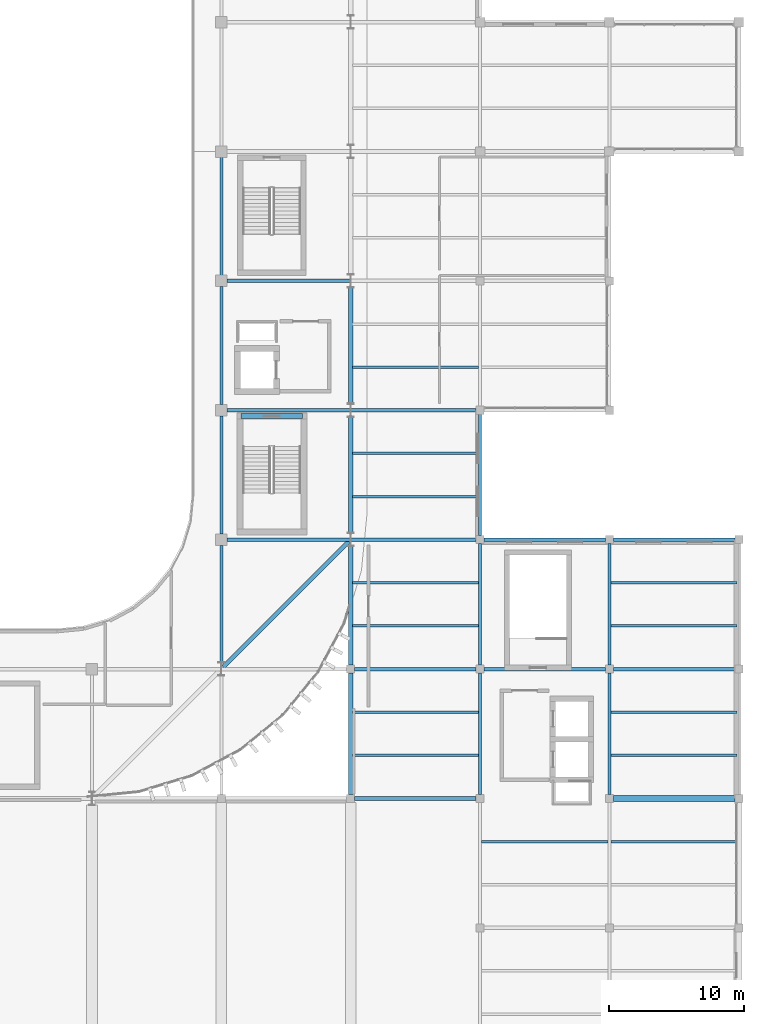
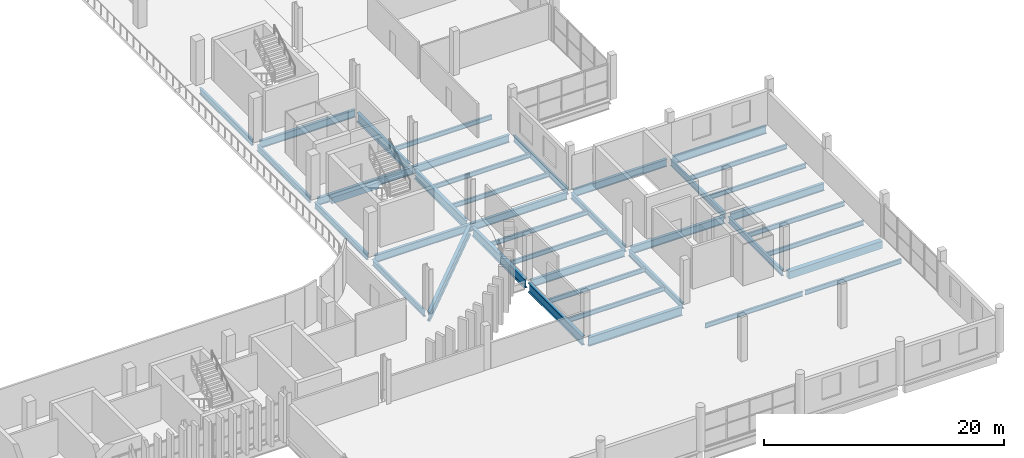
# One storey, part 27 of 92: 40 beams.
"""IFC4 building model written with IfcOpenShell, lengths in metres."""

from ifc_helpers import new_model, si_unit, direction, frame, origin, origin_2d, place, context, subcontext, project, spatial, rectangle, i_section, extrude, material, material_profile, profile_set, type_object, element, save


model = new_model("IFC4")

# Units and contexts
model_context = context("Model", 3, precision=1e-05, world=origin(), true_north=direction((0.0, 1.0)))
body_context = subcontext(model_context, "Body", "Model", "MODEL_VIEW")
ifc_project = project(units=[si_unit("LENGTHUNIT", "METRE"), si_unit("AREAUNIT", "SQUARE_METRE"), si_unit("VOLUMEUNIT", "CUBIC_METRE"), si_unit("PLANEANGLEUNIT", "RADIAN"), si_unit("MASSUNIT", "GRAM", prefix="KILO")], contexts=[model_context])

# Site, building, storey
site_placement = place(None, origin())
site = spatial("IfcSite", under=ifc_project, at=site_placement, CompositionType="ELEMENT")
building_placement = place(site_placement, origin())
building = spatial("IfcBuilding", under=site, at=building_placement, Name="Caelomonte Colonnade Arena", CompositionType="ELEMENT")
storey_placement = place(building_placement, frame((0.0, 0.0, 9.60009765625)))
storey = spatial("IfcBuildingStorey", under=building, at=storey_placement, Name="L02", CompositionType="ELEMENT", Elevation=9.60009765625)

# Beams
ifc_material_1 = material(Name="Wide-flange steel ASTM A992 Grade 50", Category="steel")
ifc_material_profile_1 = material_profile(ifc_material_1, i_section(OverallWidth=0.307861328125, OverallDepth=0.927001953125, WebThickness=0.019287109375, FlangeThickness=0.031982421875, FilletRadius=0.020263671875, at=origin_2d()), Name="W36X194")
ifc_profile_set_1 = profile_set([ifc_material_profile_1], Name="Wide-flange steel ASTM A992 Grade 50")
beam_type_1 = type_object("IfcBeamType", Name="STR-BM-EAVES2", PredefinedType="SPANDREL", material=ifc_profile_set_1)
for number, where, z_axis, x_axis, name in (
    (1, (163.491943359375, 19.199951171875, -0.74365234375), (1.0, 0.0, 0.0), (0.0, 1.0, 0.0), "L02 girder BMX-L02-1632-0192"),
    (2, (163.199951171875, 19.491943359375, -0.74365234375), (0.0, 1.0, 0.0), (-1.0, 0.0, 0.0), "L02 girder BMY-L02-1632-0192"),
):
    element("IfcBeam", number, at=place(storey_placement, frame(where, z_axis=z_axis, x_axis=x_axis)), inside=storey, type_object=beam_type_1, Name=name, PredefinedType="SPANDREL", context=body_context, shape_type="SweptSolid", body=[
        extrude(i_section(OverallWidth=0.307861328125, OverallDepth=0.927001953125, WebThickness=0.019287109375, FlangeThickness=0.031982421875, FilletRadius=0.020263671875, at=origin_2d()), origin(), (0.0, 0.0, 1.0), 9.01611328125),
    ])
beam_1_placement = place(storey_placement, frame((163.199951171875, 29.092041015625, -0.74365234375), z_axis=(0.0, 1.0, 0.0), x_axis=(-1.0, 0.0, 0.0)))
element("IfcBeam", 3, at=beam_1_placement, inside=storey, type_object=beam_type_1, Name="L02 girder BMY-L02-1632-0288", PredefinedType="SPANDREL", context=body_context, shape_type="SweptSolid", body=[
    extrude(i_section(OverallWidth=0.307861328125, OverallDepth=0.927001953125, WebThickness=0.019287109375, FlangeThickness=0.031982421875, FilletRadius=0.020263671875, at=origin_2d()), origin(), (0.0, 0.0, 1.0), 8.810546875),
])
for number, where, z_axis, x_axis, name in (
    (4, (163.199951171875, 38.8974609375, -0.74365234375), (0.0, 1.0, 0.0), (-1.0, 0.0, 0.0), "L02 girder BMY-L02-1632-0384"),
    (5, (163.199951171875, 48.49755859375, -0.74365234375), (0.0, 1.0, 0.0), (-1.0, 0.0, 0.0), "L02 girder BMY-L02-1632-0480"),
):
    element("IfcBeam", number, at=place(storey_placement, frame(where, z_axis=z_axis, x_axis=x_axis)), inside=storey, type_object=beam_type_1, Name=name, PredefinedType="SPANDREL", context=body_context, shape_type="SweptSolid", body=[
        extrude(i_section(OverallWidth=0.307861328125, OverallDepth=0.927001953125, WebThickness=0.019287109375, FlangeThickness=0.031982421875, FilletRadius=0.020263671875, at=origin_2d()), origin(), (0.0, 0.0, 1.0), 8.60498046875),
    ])
beam_2_placement = place(storey_placement, frame((153.742431640625, 28.9423828125, -0.74365234375), z_axis=(0.707106781187, 0.707106781187, 0.0), x_axis=(-0.707106781187, 0.707106781187, 0.0)))
element("IfcBeam", 6, at=beam_2_placement, inside=storey, type_object=beam_type_1, Name="L02 drum corner ring girder 4", PredefinedType="SPANDREL", context=body_context, shape_type="SweptSolid", body=[
    extrude(i_section(OverallWidth=0.307861328125, OverallDepth=0.927001953125, WebThickness=0.019287109375, FlangeThickness=0.031982421875, FilletRadius=0.020263671875, at=origin_2d()), origin(), (0.0, 0.0, 1.0), 13.173583984375),
])
ifc_material_profile_2 = material_profile(ifc_material_1, i_section(OverallWidth=0.228271484375, OverallDepth=0.607177734375, WebThickness=0.01123046875, FlangeThickness=0.017333984375, FilletRadius=0.0126953125, at=origin_2d()), Name="W24X76")
ifc_profile_set_2 = profile_set([ifc_material_profile_2], Name="Wide-flange steel ASTM A992 Grade 50")
beam_type_2 = type_object("IfcBeamType", Name="STR-BM-GIRD24", PredefinedType="BEAM", material=ifc_profile_set_2)
beam_3_placement = place(storey_placement, frame((153.60009765625, 29.297607421875, -0.58349609375), z_axis=(0.0, 1.0, 0.0), x_axis=(-1.0, 0.0, 0.0)))
element("IfcBeam", 7, at=beam_3_placement, inside=storey, type_object=beam_type_2, Name="L02 girder BMY-L02-1536-0288", PredefinedType="BEAM", context=body_context, shape_type="SweptSolid", body=[
    extrude(i_section(OverallWidth=0.228271484375, OverallDepth=0.607177734375, WebThickness=0.01123046875, FlangeThickness=0.017333984375, FilletRadius=0.0126953125, at=origin_2d()), origin(), (0.0, 0.0, 1.0), 8.685302734375),
])
for number, where, z_axis, x_axis, name in (
    (8, (153.60009765625, 38.81689453125, -0.58349609375), (0.0, 1.0, 0.0), (-1.0, 0.0, 0.0), "L02 girder BMY-L02-1536-0384"),
    (9, (153.60009765625, 48.4169921875, -0.58349609375), (0.0, 1.0, 0.0), (-1.0, 0.0, 0.0), "L02 girder BMY-L02-1536-0480"),
):
    element("IfcBeam", number, at=place(storey_placement, frame(where, z_axis=z_axis, x_axis=x_axis)), inside=storey, type_object=beam_type_2, Name=name, PredefinedType="BEAM", context=body_context, shape_type="SweptSolid", body=[
        extrude(i_section(OverallWidth=0.228271484375, OverallDepth=0.607177734375, WebThickness=0.01123046875, FlangeThickness=0.017333984375, FilletRadius=0.0126953125, at=origin_2d()), origin(), (0.0, 0.0, 1.0), 8.76611328125),
    ])
beam_4_placement = place(storey_placement, frame((153.60009765625, 58.01708984375, -0.58349609375), z_axis=(0.0, 1.0, 0.0), x_axis=(-1.0, 0.0, 0.0)))
element("IfcBeam", 10, at=beam_4_placement, inside=storey, type_object=beam_type_2, Name="L02 girder BMY-L02-1536-0576", PredefinedType="BEAM", context=body_context, shape_type="SweptSolid", body=[
    extrude(i_section(OverallWidth=0.228271484375, OverallDepth=0.607177734375, WebThickness=0.01123046875, FlangeThickness=0.017333984375, FilletRadius=0.0126953125, at=origin_2d()), origin(), (0.0, 0.0, 1.0), 8.765869140625),
])
beam_5_placement = place(storey_placement, frame((172.800048828125, 19.491943359375, -0.58349609375), z_axis=(0.0, 1.0, 0.0), x_axis=(-1.0, 0.0, 0.0)))
element("IfcBeam", 11, at=beam_5_placement, inside=storey, type_object=beam_type_2, Name="L02 girder BMY-L02-1728-0192", PredefinedType="BEAM", context=body_context, shape_type="SweptSolid", body=[
    extrude(i_section(OverallWidth=0.228271484375, OverallDepth=0.607177734375, WebThickness=0.01123046875, FlangeThickness=0.017333984375, FilletRadius=0.0126953125, at=origin_2d()), origin(), (0.0, 0.0, 1.0), 9.01611328125),
])
beam_6_placement = place(storey_placement, frame((172.800048828125, 29.092041015625, -0.58349609375), z_axis=(0.0, 1.0, 0.0), x_axis=(-1.0, 0.0, 0.0)))
element("IfcBeam", 12, at=beam_6_placement, inside=storey, type_object=beam_type_2, Name="L02 girder BMY-L02-1728-0288", PredefinedType="BEAM", context=body_context, shape_type="SweptSolid", body=[
    extrude(i_section(OverallWidth=0.228271484375, OverallDepth=0.607177734375, WebThickness=0.01123046875, FlangeThickness=0.017333984375, FilletRadius=0.0126953125, at=origin_2d()), origin(), (0.0, 0.0, 1.0), 9.015869140625),
])
for number, where, z_axis, x_axis, name in (
    (13, (172.800048828125, 38.69189453125, -0.58349609375), (0.0, 1.0, 0.0), (-1.0, 0.0, 0.0), "L02 girder BMY-L02-1728-0384"),
    (14, (182.39990234375, 19.491943359375, -0.58349609375), (0.0, 1.0, 0.0), (-1.0, 0.0, 0.0), "L02 girder BMY-L02-1824-0192"),
):
    element("IfcBeam", number, at=place(storey_placement, frame(where, z_axis=z_axis, x_axis=x_axis)), inside=storey, type_object=beam_type_2, Name=name, PredefinedType="BEAM", context=body_context, shape_type="SweptSolid", body=[
        extrude(i_section(OverallWidth=0.228271484375, OverallDepth=0.607177734375, WebThickness=0.01123046875, FlangeThickness=0.017333984375, FilletRadius=0.0126953125, at=origin_2d()), origin(), (0.0, 0.0, 1.0), 9.01611328125),
    ])
beam_7_placement = place(storey_placement, frame((182.39990234375, 29.092041015625, -0.58349609375), z_axis=(0.0, 1.0, 0.0), x_axis=(-1.0, 0.0, 0.0)))
element("IfcBeam", 15, at=beam_7_placement, inside=storey, type_object=beam_type_2, Name="L02 girder BMY-L02-1824-0288", PredefinedType="BEAM", context=body_context, shape_type="SweptSolid", body=[
    extrude(i_section(OverallWidth=0.228271484375, OverallDepth=0.607177734375, WebThickness=0.01123046875, FlangeThickness=0.017333984375, FilletRadius=0.0126953125, at=origin_2d()), origin(), (0.0, 0.0, 1.0), 9.015869140625),
])
ifc_material_profile_3 = material_profile(ifc_material_1, i_section(OverallWidth=0.2666015625, OverallDepth=0.761962890625, WebThickness=0.014404296875, FlangeThickness=0.021484375, FilletRadius=0.0166015625, at=origin_2d()), Name="W30X116")
ifc_profile_set_3 = profile_set([ifc_material_profile_3], Name="Wide-flange steel ASTM A992 Grade 50")
beam_type_3 = type_object("IfcBeamType", Name="STR-BM-GIRD30", PredefinedType="BEAM", material=ifc_profile_set_3)
beam_8_placement = place(storey_placement, frame((163.491943359375, 28.800048828125, -0.6611328125), z_axis=(1.0, 0.0, 0.0), x_axis=(0.0, 1.0, 0.0)))
element("IfcBeam", 16, at=beam_8_placement, inside=storey, type_object=beam_type_3, Name="L02 girder BMX-L02-1632-0288", PredefinedType="BEAM", context=body_context, shape_type="SweptSolid", body=[
    extrude(i_section(OverallWidth=0.2666015625, OverallDepth=0.761962890625, WebThickness=0.014404296875, FlangeThickness=0.021484375, FilletRadius=0.0166015625, at=origin_2d()), origin(), (0.0, 0.0, 1.0), 9.01611328125),
])
beam_9_placement = place(storey_placement, frame((173.092041015625, 28.800048828125, -0.6611328125), z_axis=(1.0, 0.0, 0.0), x_axis=(0.0, 1.0, 0.0)))
element("IfcBeam", 17, at=beam_9_placement, inside=storey, type_object=beam_type_3, Name="L02 girder BMX-L02-1728-0288", PredefinedType="BEAM", context=body_context, shape_type="SweptSolid", body=[
    extrude(i_section(OverallWidth=0.2666015625, OverallDepth=0.761962890625, WebThickness=0.014404296875, FlangeThickness=0.021484375, FilletRadius=0.0166015625, at=origin_2d()), origin(), (0.0, 0.0, 1.0), 9.015869140625),
])
beam_10_placement = place(storey_placement, frame((182.69189453125, 28.800048828125, -0.6611328125), z_axis=(1.0, 0.0, 0.0), x_axis=(0.0, 1.0, 0.0)))
element("IfcBeam", 18, at=beam_10_placement, inside=storey, type_object=beam_type_3, Name="L02 girder BMX-L02-1824-0288", PredefinedType="BEAM", context=body_context, shape_type="SweptSolid", body=[
    extrude(i_section(OverallWidth=0.2666015625, OverallDepth=0.761962890625, WebThickness=0.014404296875, FlangeThickness=0.021484375, FilletRadius=0.0166015625, at=origin_2d()), origin(), (0.0, 0.0, 1.0), 9.01611328125),
])
beam_11_placement = place(storey_placement, frame((154.01708984375, 38.39990234375, -0.6611328125), z_axis=(1.0, 0.0, 0.0), x_axis=(0.0, 1.0, 0.0)))
element("IfcBeam", 19, at=beam_11_placement, inside=storey, type_object=beam_type_3, Name="L02 girder BMX-L02-1536-0384", PredefinedType="BEAM", context=body_context, shape_type="SweptSolid", body=[
    extrude(i_section(OverallWidth=0.2666015625, OverallDepth=0.761962890625, WebThickness=0.014404296875, FlangeThickness=0.021484375, FilletRadius=0.0166015625, at=origin_2d()), origin(), (0.0, 0.0, 1.0), 9.171142578125),
])
beam_12_placement = place(storey_placement, frame((163.2119140625, 38.39990234375, -0.6611328125), z_axis=(1.0, 0.0, 0.0), x_axis=(0.0, 1.0, 0.0)))
element("IfcBeam", 20, at=beam_12_placement, inside=storey, type_object=beam_type_3, Name="L02 girder BMX-L02-1632-0384", PredefinedType="BEAM", context=body_context, shape_type="SweptSolid", body=[
    extrude(i_section(OverallWidth=0.2666015625, OverallDepth=0.761962890625, WebThickness=0.014404296875, FlangeThickness=0.021484375, FilletRadius=0.0166015625, at=origin_2d()), origin(), (0.0, 0.0, 1.0), 9.296142578125),
])
beam_13_placement = place(storey_placement, frame((173.092041015625, 38.39990234375, -0.6611328125), z_axis=(1.0, 0.0, 0.0), x_axis=(0.0, 1.0, 0.0)))
element("IfcBeam", 21, at=beam_13_placement, inside=storey, type_object=beam_type_3, Name="L02 girder BMX-L02-1728-0384", PredefinedType="BEAM", context=body_context, shape_type="SweptSolid", body=[
    extrude(i_section(OverallWidth=0.2666015625, OverallDepth=0.761962890625, WebThickness=0.014404296875, FlangeThickness=0.021484375, FilletRadius=0.0166015625, at=origin_2d()), origin(), (0.0, 0.0, 1.0), 9.015869140625),
])
beam_14_placement = place(storey_placement, frame((182.69189453125, 38.39990234375, -0.6611328125), z_axis=(1.0, 0.0, 0.0), x_axis=(0.0, 1.0, 0.0)))
element("IfcBeam", 22, at=beam_14_placement, inside=storey, type_object=beam_type_3, Name="L02 girder BMX-L02-1824-0384", PredefinedType="BEAM", context=body_context, shape_type="SweptSolid", body=[
    extrude(i_section(OverallWidth=0.2666015625, OverallDepth=0.761962890625, WebThickness=0.014404296875, FlangeThickness=0.021484375, FilletRadius=0.0166015625, at=origin_2d()), origin(), (0.0, 0.0, 1.0), 9.01611328125),
])
beam_15_placement = place(storey_placement, frame((154.01708984375, 48.0, -0.6611328125), z_axis=(1.0, 0.0, 0.0), x_axis=(0.0, 1.0, 0.0)))
element("IfcBeam", 23, at=beam_15_placement, inside=storey, type_object=beam_type_3, Name="L02 girder BMX-L02-1536-0480", PredefinedType="BEAM", context=body_context, shape_type="SweptSolid", body=[
    extrude(i_section(OverallWidth=0.2666015625, OverallDepth=0.761962890625, WebThickness=0.014404296875, FlangeThickness=0.021484375, FilletRadius=0.0166015625, at=origin_2d()), origin(), (0.0, 0.0, 1.0), 9.171142578125),
])
beam_16_placement = place(storey_placement, frame((163.2119140625, 48.0, -0.6611328125), z_axis=(1.0, 0.0, 0.0), x_axis=(0.0, 1.0, 0.0)))
element("IfcBeam", 24, at=beam_16_placement, inside=storey, type_object=beam_type_3, Name="L02 girder BMX-L02-1632-0480", PredefinedType="BEAM", context=body_context, shape_type="SweptSolid", body=[
    extrude(i_section(OverallWidth=0.2666015625, OverallDepth=0.761962890625, WebThickness=0.014404296875, FlangeThickness=0.021484375, FilletRadius=0.0166015625, at=origin_2d()), origin(), (0.0, 0.0, 1.0), 9.296142578125),
])
beam_17_placement = place(storey_placement, frame((154.01708984375, 57.60009765625, -0.6611328125), z_axis=(1.0, 0.0, 0.0), x_axis=(0.0, 1.0, 0.0)))
element("IfcBeam", 25, at=beam_17_placement, inside=storey, type_object=beam_type_3, Name="L02 girder BMX-L02-1536-0576", PredefinedType="BEAM", context=body_context, shape_type="SweptSolid", body=[
    extrude(i_section(OverallWidth=0.2666015625, OverallDepth=0.761962890625, WebThickness=0.014404296875, FlangeThickness=0.021484375, FilletRadius=0.0166015625, at=origin_2d()), origin(), (0.0, 0.0, 1.0), 9.171142578125),
])
ifc_material_profile_4 = material_profile(ifc_material_1, i_section(OverallWidth=0.1904296875, OverallDepth=0.457275390625, WebThickness=0.009033203125, FlangeThickness=0.014404296875, FilletRadius=0.01025390625, at=origin_2d()), Name="W18X50")
ifc_profile_set_4 = profile_set([ifc_material_profile_4], Name="Wide-flange steel ASTM A992 Grade 50")
beam_type_4 = type_object("IfcBeamType", Name="STR-BM-JOIST18", PredefinedType="JOIST", material=ifc_profile_set_4)
for number, where, z_axis, x_axis, name in (
    (26, (163.348876953125, 22.39990234375, -0.5087890625), (1.0, 0.0, 0.0), (0.0, 1.0, 0.0), "L02 secondary joist 1"),
    (27, (163.348876953125, 25.60009765625, -0.5087890625), (1.0, 0.0, 0.0), (0.0, 1.0, 0.0), "L02 secondary joist 2"),
    (28, (163.348876953125, 32.0, -0.5087890625), (1.0, 0.0, 0.0), (0.0, 1.0, 0.0), "L02 secondary joist 1"),
    (29, (163.348876953125, 35.199951171875, -0.5087890625), (1.0, 0.0, 0.0), (0.0, 1.0, 0.0), "L02 secondary joist 2"),
    (30, (163.348876953125, 41.60009765625, -0.5087890625), (1.0, 0.0, 0.0), (0.0, 1.0, 0.0), "L02 secondary joist 1"),
    (31, (163.348876953125, 44.800048828125, -0.5087890625), (1.0, 0.0, 0.0), (0.0, 1.0, 0.0), "L02 secondary joist 2"),
    (32, (163.348876953125, 51.199951171875, -0.5087890625), (1.0, 0.0, 0.0), (0.0, 1.0, 0.0), "L02 secondary joist 1"),
):
    element("IfcBeam", number, at=place(storey_placement, frame(where, z_axis=z_axis, x_axis=x_axis)), inside=storey, type_object=beam_type_4, Name=name, PredefinedType="JOIST", context=body_context, shape_type="SweptSolid", body=[
        extrude(i_section(OverallWidth=0.1904296875, OverallDepth=0.457275390625, WebThickness=0.009033203125, FlangeThickness=0.014404296875, FilletRadius=0.01025390625, at=origin_2d()), origin(), (0.0, 0.0, 1.0), 9.342041015625),
    ])
beam_18_placement = place(storey_placement, frame((172.9091796875, 16.0, -0.5087890625), z_axis=(1.0, 0.0, 0.0), x_axis=(0.0, 1.0, 0.0)))
element("IfcBeam", 33, at=beam_18_placement, inside=storey, type_object=beam_type_4, Name="L02 secondary joist 2", PredefinedType="JOIST", context=body_context, shape_type="SweptSolid", body=[
    extrude(i_section(OverallWidth=0.1904296875, OverallDepth=0.457275390625, WebThickness=0.009033203125, FlangeThickness=0.014404296875, FilletRadius=0.01025390625, at=origin_2d()), origin(), (0.0, 0.0, 1.0), 9.3818359375),
])
beam_19_placement = place(storey_placement, frame((182.50927734375, 16.0, -0.5087890625), z_axis=(1.0, 0.0, 0.0), x_axis=(0.0, 1.0, 0.0)))
element("IfcBeam", 34, at=beam_19_placement, inside=storey, type_object=beam_type_4, Name="L02 secondary joist 2", PredefinedType="JOIST", context=body_context, shape_type="SweptSolid", body=[
    extrude(i_section(OverallWidth=0.1904296875, OverallDepth=0.457275390625, WebThickness=0.009033203125, FlangeThickness=0.014404296875, FilletRadius=0.01025390625, at=origin_2d()), origin(), (0.0, 0.0, 1.0), 9.270751953125),
])
for number, where, z_axis, x_axis, name in (
    (35, (182.50927734375, 22.39990234375, -0.5087890625), (1.0, 0.0, 0.0), (0.0, 1.0, 0.0), "L02 secondary joist 1"),
    (36, (182.50927734375, 25.60009765625, -0.5087890625), (1.0, 0.0, 0.0), (0.0, 1.0, 0.0), "L02 secondary joist 2"),
    (37, (182.50927734375, 32.0, -0.5087890625), (1.0, 0.0, 0.0), (0.0, 1.0, 0.0), "L02 secondary joist 1"),
    (38, (182.50927734375, 35.199951171875, -0.5087890625), (1.0, 0.0, 0.0), (0.0, 1.0, 0.0), "L02 secondary joist 2"),
):
    element("IfcBeam", number, at=place(storey_placement, frame(where, z_axis=z_axis, x_axis=x_axis)), inside=storey, type_object=beam_type_4, Name=name, PredefinedType="JOIST", context=body_context, shape_type="SweptSolid", body=[
        extrude(i_section(OverallWidth=0.1904296875, OverallDepth=0.457275390625, WebThickness=0.009033203125, FlangeThickness=0.014404296875, FilletRadius=0.01025390625, at=origin_2d()), origin(), (0.0, 0.0, 1.0), 9.341796875),
    ])
ifc_material_2 = material(Name="Concrete C40/50", Category="concrete")
ifc_material_profile_5 = material_profile(ifc_material_2, rectangle(XDim=0.39990234375, YDim=0.64990234375, at=origin_2d()), Name="RC400X650")
ifc_profile_set_5 = profile_set([ifc_material_profile_5], Name="Concrete C40/50")
beam_type_5 = type_object("IfcBeamType", Name="STR-BM-LINT40", PredefinedType="LINTEL", material=ifc_profile_set_5)
beam_20_placement = place(storey_placement, frame((155.074951171875, 47.574951171875, -0.60498046875), z_axis=(1.0, 0.0, 0.0), x_axis=(0.0, 1.0, 0.0)))
element("IfcBeam", 39, at=beam_20_placement, inside=storey, type_object=beam_type_5, Name="Core C2 L02 coupling lintel beam", PredefinedType="LINTEL", context=body_context, shape_type="SweptSolid", body=[
    extrude(rectangle(XDim=0.39990234375, YDim=0.64990234375, at=origin_2d()), origin(), (0.0, 0.0, 1.0), 4.550048828125),
])
ifc_material_profile_6 = material_profile(ifc_material_2, rectangle(XDim=0.449951171875, YDim=0.75, at=origin_2d()), Name="RC450X750")
ifc_profile_set_6 = profile_set([ifc_material_profile_6], Name="Concrete C40/50")
beam_type_6 = type_object("IfcBeamType", Name="STR-BM-SPAN24", PredefinedType="SPANDREL", material=ifc_profile_set_6)
beam_21_placement = place(storey_placement, frame((182.69189453125, 19.199951171875, -0.655029296875), z_axis=(1.0, 0.0, 0.0), x_axis=(0.0, 1.0, 0.0)))
element("IfcBeam", 40, at=beam_21_placement, inside=storey, type_object=beam_type_6, Name="L02 girder BMX-L02-1824-0192", PredefinedType="SPANDREL", context=body_context, shape_type="SweptSolid", body=[
    extrude(rectangle(XDim=0.449951171875, YDim=0.75, at=origin_2d()), origin(), (0.0, 0.0, 1.0), 9.01611328125),
])

save(model, "model.ifc")
